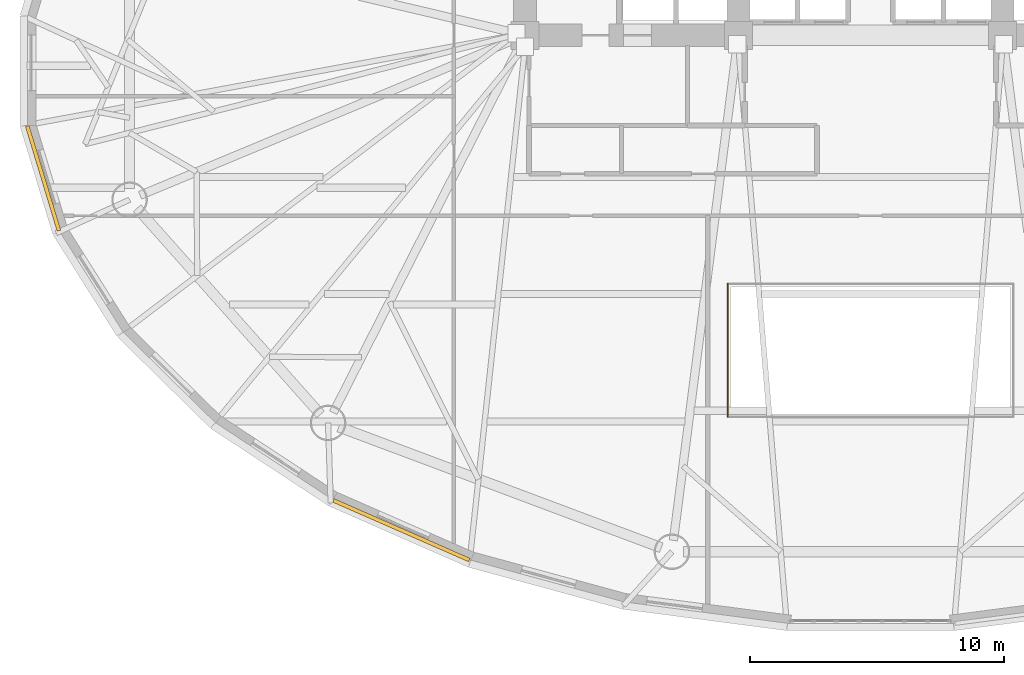
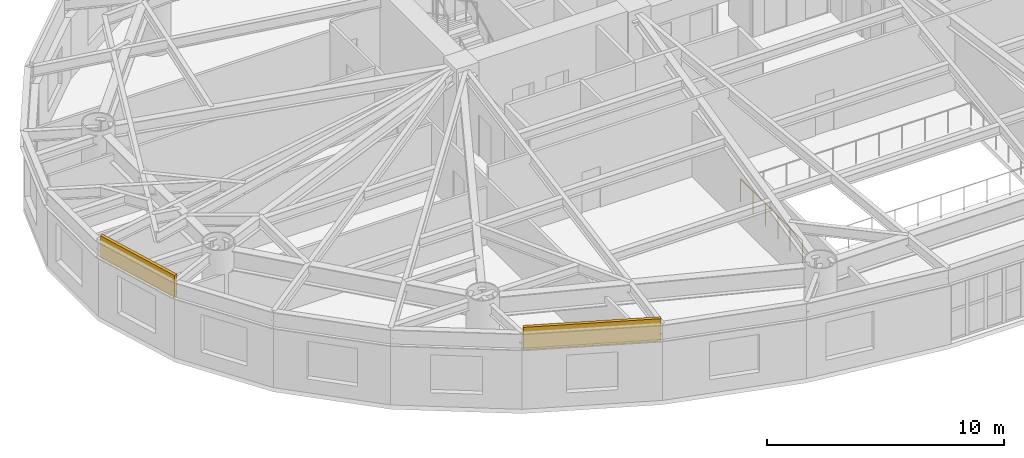
# One storey, part 14 of 19: 2 coverings, 1 railing.
"""IFC4 building model written with IfcOpenShell, lengths in metres."""

from ifc_helpers import new_model, si_unit, direction, frame, origin, origin_2d, place, context, subcontext, project, spatial, rectangle, circle, extrude, material, layer, layer_set, type_object, element, save


model = new_model("IFC4")

# Units and contexts
model_context = context("Model", 3, precision=1e-05, world=origin(), true_north=direction((0.0, 1.0)))
body_context = subcontext(model_context, "Body", "Model", "MODEL_VIEW")
ifc_project = project(units=[si_unit("LENGTHUNIT", "METRE"), si_unit("AREAUNIT", "SQUARE_METRE"), si_unit("VOLUMEUNIT", "CUBIC_METRE"), si_unit("PLANEANGLEUNIT", "RADIAN"), si_unit("MASSUNIT", "GRAM", prefix="KILO")], contexts=[model_context])

# Site, building, storey
site_placement = place(None, origin())
site = spatial("IfcSite", under=ifc_project, at=site_placement, CompositionType="ELEMENT")
building_placement = place(site_placement, origin())
building = spatial("IfcBuilding", under=site, at=building_placement, Name="Keldmark Tower", CompositionType="ELEMENT")
storey_placement = place(building_placement, frame((0.0, 0.0, 10.199951171875)))
storey = spatial("IfcBuildingStorey", under=building, at=storey_placement, Name="L02", CompositionType="ELEMENT", Elevation=10.199951171875)

# Railing
ifc_material_1 = material(Name="Painted Architectural Metal and Laminated Safety Glass", Category="glass")
railing_type = type_object("IfcRailingType", Name="Atrium Gallery Steel and Glass Balustrade 1200 mm", PredefinedType="BALUSTRADE", material=ifc_material_1)
railing_placement = place(storey_placement, frame((-5.6201171875, -8.3798828125, 0.0)))
element("IfcRailing", 1, at=railing_placement, inside=storey, type_object=railing_type, Name="L02 Atrium Gallery Guard W", PredefinedType="BALUSTRADE", context=body_context, shape_type="SweptSolid", body=[
    extrude(circle(Radius=0.02392578125, at=origin_2d()), frame((0.0, 0.0, 1.17578125), z_axis=(0.0, -1.0, 0.0), x_axis=(1.0, 0.0, 0.0)), (0.0, 0.0, 1.0), 5.240234375),
    extrude(circle(Radius=0.02099609375, at=origin_2d()), origin(), (0.0, 0.0, 1.0), 1.15185546875),
    extrude(circle(Radius=0.02099609375, at=origin_2d()), frame((0.0, -1.048095703125, 0.0)), (0.0, 0.0, 1.0), 1.15185546875),
    extrude(circle(Radius=0.02099609375, at=origin_2d()), frame((0.0, -2.09619140625, 0.0)), (0.0, 0.0, 1.0), 1.15185546875),
    extrude(circle(Radius=0.02099609375, at=origin_2d()), frame((0.0, -3.14404296875, 0.0)), (0.0, 0.0, 1.0), 1.15185546875),
    extrude(circle(Radius=0.02099609375, at=origin_2d()), frame((0.0, -4.192138671875, 0.0)), (0.0, 0.0, 1.0), 1.15185546875),
    extrude(circle(Radius=0.02099609375, at=origin_2d()), frame((0.0, -5.240234375, 0.0)), (0.0, 0.0, 1.0), 1.15185546875),
])

# Coverings
ifc_material_2 = material(Name="Honed Kasota Buff Dolomitic Limestone", Category="masonry")
ifc_layer = layer(ifc_material_2, 0.074951171875)
ifc_layer_set = layer_set([ifc_layer], Name="Honed Kasota Buff Dolomitic Limestone")
covering_type = type_object("IfcCoveringType", Name="Kasota Buff Limestone Spandrel Cladding Band", PredefinedType="CLADDING", material=ifc_layer_set)
covering_1_placement = place(storey_placement, frame((-32.57373046875, -4.233642578125, 3.032958984375), z_axis=(0.0, 0.0, 1.0), x_axis=(0.289883809569, -0.957061845938, 0.0)))
element("IfcCovering", 2, at=covering_1_placement, inside=storey, type_object=covering_type, Name="L02 Kasota Limestone Spandrel Band 17", PredefinedType="CLADDING", context=body_context, shape_type="SweptSolid", body=[
    extrude(rectangle(XDim=4.2998046875, YDim=0.14990234375, at=origin_2d()), origin(), (0.0, 0.0, 1.0), 1.14697265625),
])
covering_2_placement = place(storey_placement, frame((-18.4697265625, -18.085205078125, 3.032958984375), z_axis=(0.0, 0.0, 1.0), x_axis=(0.915711693691, -0.401835904367, 0.0)))
element("IfcCovering", 3, at=covering_2_placement, inside=storey, type_object=covering_type, Name="L02 Kasota Limestone Spandrel Band 21", PredefinedType="CLADDING", context=body_context, shape_type="SweptSolid", body=[
    extrude(rectangle(XDim=5.843017578125, YDim=0.14990234375, at=origin_2d()), origin(), (0.0, 0.0, 1.0), 1.14697265625),
])

save(model, "model.ifc")
